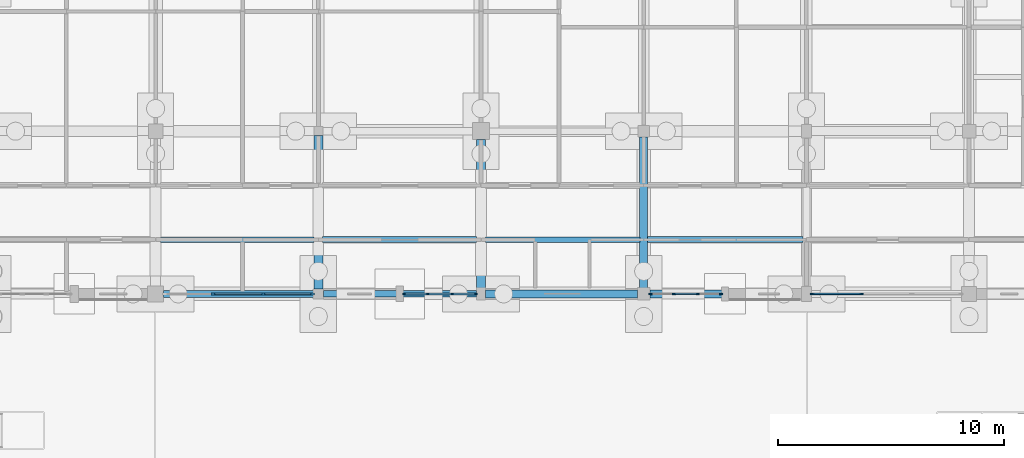
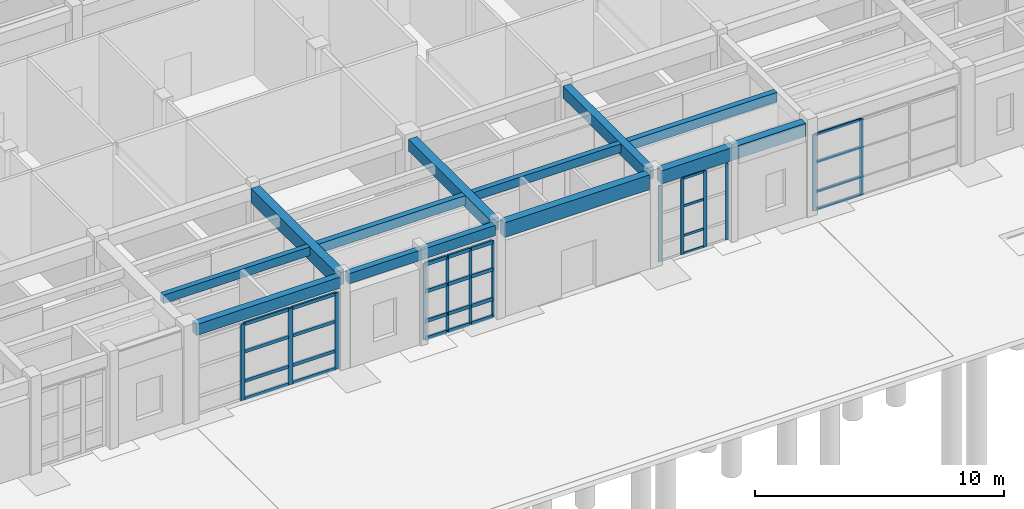
# One storey, part 41 of 143: 41 members, 11 beams, 4 elements without a shape of their own.
"""IFC4 building model written with IfcOpenShell, lengths in metres."""

from ifc_helpers import new_model, si_unit, direction, frame, origin, origin_2d, place, context, subcontext, project, spatial, rectangle, extrude, material, material_profile, profile_set, type_object, element, aggregate, save


model = new_model("IFC4")

# Units and contexts
model_context = context("Model", 3, precision=1e-05, world=origin(), true_north=direction((0.0, 1.0)))
body_context = subcontext(model_context, "Body", "Model", "MODEL_VIEW")
ifc_project = project(units=[si_unit("LENGTHUNIT", "METRE"), si_unit("AREAUNIT", "SQUARE_METRE"), si_unit("VOLUMEUNIT", "CUBIC_METRE"), si_unit("PLANEANGLEUNIT", "RADIAN"), si_unit("MASSUNIT", "GRAM", prefix="KILO")], contexts=[model_context])

# Site, building, storey
site_placement = place(None, origin())
site = spatial("IfcSite", under=ifc_project, at=site_placement, CompositionType="ELEMENT")
building_placement = place(site_placement, origin())
building = spatial("IfcBuilding", under=site, at=building_placement, Name="Steenspoor Specialist Clinic", CompositionType="ELEMENT")
storey_placement = place(building_placement, origin())
storey = spatial("IfcBuildingStorey", under=building, at=storey_placement, Name="L00", CompositionType="ELEMENT", Elevation=0.0)

# Beams
ifc_material_1 = material(Name="Concrete C35/45", Category="concrete")
ifc_material_profile_1 = material_profile(ifc_material_1, rectangle(XDim=0.35009765625, YDim=0.580078125, at=origin_2d()), Name="RC-BM-350X580")
ifc_profile_set_1 = profile_set([ifc_material_profile_1], Name="Concrete C35/45")
beam_type_1 = type_object("IfcBeamType", Name="BM-RC-350X580", PredefinedType="BEAM", material=ifc_profile_set_1)
beam_1_placement = place(storey_placement, frame((88.39990234375, 13.320068359375, 4.260009765625), z_axis=(0.0, 1.0, 0.0), x_axis=(-1.0, 0.0, 0.0)))
element("IfcBeam", 1, at=beam_1_placement, inside=storey, type_object=beam_type_1, Name="BM-V1-L00-Y0056", PredefinedType="BEAM", context=body_context, shape_type="SweptSolid", body=[
    extrude(rectangle(XDim=0.35009765625, YDim=0.580078125, at=origin_2d()), origin(), (0.0, 0.0, 1.0), 6.684814453125),
])
ifc_material_profile_2 = material_profile(ifc_material_1, rectangle(XDim=0.39990234375, YDim=0.580078125, at=origin_2d()), Name="RC-BM-400X580")
ifc_profile_set_2 = profile_set([ifc_material_profile_2], Name="Concrete C35/45")
beam_type_2 = type_object("IfcBeamType", Name="BM-RC-400X580", PredefinedType="BEAM", material=ifc_profile_set_2)
beam_2_placement = place(storey_placement, frame((81.199951171875, 13.320068359375, 4.260009765625), z_axis=(0.0, 1.0, 0.0), x_axis=(-1.0, 0.0, 0.0)))
element("IfcBeam", 2, at=beam_2_placement, inside=storey, type_object=beam_type_2, Name="BM-V1-L00-Y0054", PredefinedType="BEAM", context=body_context, shape_type="SweptSolid", body=[
    extrude(rectangle(XDim=0.39990234375, YDim=0.580078125, at=origin_2d()), origin(), (0.0, 0.0, 1.0), 6.559814453125),
])
ifc_material_profile_3 = material_profile(ifc_material_1, rectangle(XDim=0.39990234375, YDim=0.699951171875, at=origin_2d()), Name="RC-BM-400X700")
ifc_profile_set_3 = profile_set([ifc_material_profile_3], Name="Concrete C35/45")
beam_type_3 = type_object("IfcBeamType", Name="BM-RC-400X700", PredefinedType="BEAM", material=ifc_profile_set_3)
beam_3_placement = place(storey_placement, frame((74.0, 13.27001953125, 4.199951171875), z_axis=(0.0, 1.0, 0.0), x_axis=(-1.0, 0.0, 0.0)))
element("IfcBeam", 3, at=beam_3_placement, inside=storey, type_object=beam_type_3, Name="BM-V1-L00-Y0052", PredefinedType="BEAM", context=body_context, shape_type="SweptSolid", body=[
    extrude(rectangle(XDim=0.39990234375, YDim=0.699951171875, at=origin_2d()), origin(), (0.0, 0.0, 1.0), 6.784912109375),
])

# Curtain wall, members
ifc_material_2 = material(Name="Thermally broken aluminium and low-emissivity glass", Category="aluminium")
curtain_wall_type_1 = type_object("IfcCurtainWallType", Name="CW-L00-660X415", PredefinedType="USERDEFINED", material=ifc_material_2)
curtain_wall_1_placement = place(storey_placement, origin())
curtain_wall_1 = element("IfcCurtainWall", 4, at=curtain_wall_1_placement, inside=storey, type_object=curtain_wall_type_1, Name="Unitised Curtain Wall CW-V1-L00-004", ObjectType="UNITISED GLAZING", PredefinedType="USERDEFINED")
ifc_material_3 = material(Name="Thermally broken aluminium 6063-T6", Category="aluminium")
ifc_material_profile_4 = material_profile(ifc_material_3, rectangle(XDim=0.06005859375, YDim=0.135009765625, at=origin_2d()), Name="CWM-60X135")
ifc_profile_set_4 = profile_set([ifc_material_profile_4], Name="Thermally broken aluminium 6063-T6")
member_type_1 = type_object("IfcMemberType", Name="CW-MULL-60X135", PredefinedType="MULLION", material=ifc_profile_set_4)
member_1_placement = place(storey_placement, frame((80.969970703125, 13.050048828125, 0.0), z_axis=(0.0, 0.0, 1.0), x_axis=(0.0, -1.0, 0.0)))
member_1 = element("IfcMember", 5, at=member_1_placement, type_object=member_type_1, Name="CW-04 mullion 1", PredefinedType="MULLION", context=body_context, shape_type="SweptSolid", body=[
    extrude(rectangle(XDim=0.06005859375, YDim=0.135009765625, at=origin_2d()), origin(), (0.0, 0.0, 1.0), 3.72998046875),
])
member_2_placement = place(storey_placement, frame((79.92333984375, 13.050048828125, 0.0), z_axis=(0.0, 0.0, 1.0), x_axis=(0.0, -1.0, 0.0)))
member_2 = element("IfcMember", 6, at=member_2_placement, type_object=member_type_1, Name="CW-04 mullion 2", PredefinedType="MULLION", context=body_context, shape_type="SweptSolid", body=[
    extrude(rectangle(XDim=0.06005859375, YDim=0.135009765625, at=origin_2d()), origin(), (0.0, 0.0, 1.0), 3.72998046875),
])
member_3_placement = place(storey_placement, frame((78.8466796875, 13.050048828125, 0.0), z_axis=(0.0, 0.0, 1.0), x_axis=(0.0, -1.0, 0.0)))
member_3 = element("IfcMember", 7, at=member_3_placement, type_object=member_type_1, Name="CW-04 mullion 3", PredefinedType="MULLION", context=body_context, shape_type="SweptSolid", body=[
    extrude(rectangle(XDim=0.06005859375, YDim=0.135009765625, at=origin_2d()), origin(), (0.0, 0.0, 1.0), 3.72998046875),
])
member_4_placement = place(storey_placement, frame((77.800048828125, 13.050048828125, 0.0), z_axis=(0.0, 0.0, 1.0), x_axis=(0.0, -1.0, 0.0)))
member_4 = element("IfcMember", 8, at=member_4_placement, type_object=member_type_1, Name="CW-04 mullion 4", PredefinedType="MULLION", context=body_context, shape_type="SweptSolid", body=[
    extrude(rectangle(XDim=0.06005859375, YDim=0.135009765625, at=origin_2d()), origin(), (0.0, 0.0, 1.0), 3.72998046875),
])

curtain_wall_type_2 = type_object("IfcCurtainWallType", Name="CW-HALL-480X820", PredefinedType="USERDEFINED", material=ifc_material_2)
curtain_wall_2_placement = place(storey_placement, origin())
curtain_wall_2 = element("IfcCurtainWall", 9, at=curtain_wall_2_placement, inside=storey, type_object=curtain_wall_type_2, Name="Unitised Curtain Wall CW-V1-L00-003", ObjectType="UNITISED GLAZING", PredefinedType="USERDEFINED")
ifc_material_profile_5 = material_profile(ifc_material_3, rectangle(XDim=0.06494140625, YDim=0.14990234375, at=origin_2d()), Name="CWM-65X150")
ifc_profile_set_5 = profile_set([ifc_material_profile_5], Name="Thermally broken aluminium 6063-T6")
member_type_2 = type_object("IfcMemberType", Name="CW-MULL-65X150", PredefinedType="MULLION", material=ifc_profile_set_5)
member_5_placement = place(storey_placement, frame((91.8173828125, 13.050048828125, 0.0), z_axis=(0.0, 0.0, 1.0), x_axis=(0.0, -1.0, 0.0)))
member_5 = element("IfcMember", 10, at=member_5_placement, type_object=member_type_2, Name="CW-03 mullion 1", PredefinedType="MULLION", context=body_context, shape_type="SweptSolid", body=[
    extrude(rectangle(XDim=0.06494140625, YDim=0.14990234375, at=origin_2d()), origin(), (0.0, 0.0, 1.0), 3.72998046875),
])
member_6_placement = place(storey_placement, frame((90.791748046875, 13.050048828125, 0.0), z_axis=(0.0, 0.0, 1.0), x_axis=(0.0, -1.0, 0.0)))
member_6 = element("IfcMember", 11, at=member_6_placement, type_object=member_type_2, Name="CW-03 mullion 2", PredefinedType="MULLION", context=body_context, shape_type="SweptSolid", body=[
    extrude(rectangle(XDim=0.06494140625, YDim=0.14990234375, at=origin_2d()), origin(), (0.0, 0.0, 1.0), 3.72998046875),
])
member_7_placement = place(storey_placement, frame((89.7333984375, 13.050048828125, 0.0), z_axis=(0.0, 0.0, 1.0), x_axis=(0.0, -1.0, 0.0)))
member_7 = element("IfcMember", 12, at=member_7_placement, type_object=member_type_2, Name="CW-03 mullion 3", PredefinedType="MULLION", context=body_context, shape_type="SweptSolid", body=[
    extrude(rectangle(XDim=0.06494140625, YDim=0.14990234375, at=origin_2d()), origin(), (0.0, 0.0, 1.0), 3.72998046875),
])
member_8_placement = place(storey_placement, frame((88.70751953125, 13.050048828125, 0.0), z_axis=(0.0, 0.0, 1.0), x_axis=(0.0, -1.0, 0.0)))
member_8 = element("IfcMember", 13, at=member_8_placement, type_object=member_type_2, Name="CW-03 mullion 4", PredefinedType="MULLION", context=body_context, shape_type="SweptSolid", body=[
    extrude(rectangle(XDim=0.06494140625, YDim=0.14990234375, at=origin_2d()), origin(), (0.0, 0.0, 1.0), 3.72998046875),
])

curtain_wall_type_3 = type_object("IfcCurtainWallType", Name="CW-HALL-650X820", PredefinedType="USERDEFINED", material=ifc_material_2)
curtain_wall_3_placement = place(storey_placement, origin())
curtain_wall_3 = element("IfcCurtainWall", 14, at=curtain_wall_3_placement, inside=storey, type_object=curtain_wall_type_3, Name="Unitised Curtain Wall CW-V1-L00-002", ObjectType="UNITISED GLAZING", PredefinedType="USERDEFINED")
ifc_material_profile_6 = material_profile(ifc_material_3, rectangle(XDim=0.070068359375, YDim=0.1650390625, at=origin_2d()), Name="CWM-70X165")
ifc_profile_set_6 = profile_set([ifc_material_profile_6], Name="Thermally broken aluminium 6063-T6")
member_type_3 = type_object("IfcMemberType", Name="CW-MULL-70X165", PredefinedType="MULLION", material=ifc_profile_set_6)
member_9_placement = place(storey_placement, frame((98.041748046875, 13.050048828125, 0.0), z_axis=(0.0, 0.0, 1.0), x_axis=(0.0, -1.0, 0.0)))
member_9 = element("IfcMember", 15, at=member_9_placement, type_object=member_type_3, Name="CW-02 mullion 3", PredefinedType="MULLION", context=body_context, shape_type="SweptSolid", body=[
    extrude(rectangle(XDim=0.070068359375, YDim=0.1650390625, at=origin_2d()), origin(), (0.0, 0.0, 1.0), 3.72998046875),
])
member_10_placement = place(storey_placement, frame((95.860107421875, 13.050048828125, 0.0), z_axis=(0.0, 0.0, 1.0), x_axis=(0.0, -1.0, 0.0)))
member_10 = element("IfcMember", 16, at=member_10_placement, type_object=member_type_3, Name="CW-02 mullion 4", PredefinedType="MULLION", context=body_context, shape_type="SweptSolid", body=[
    extrude(rectangle(XDim=0.070068359375, YDim=0.1650390625, at=origin_2d()), origin(), (0.0, 0.0, 1.0), 3.72998046875),
])

curtain_wall_type_4 = type_object("IfcCurtainWallType", Name="CW-L00-650X415", PredefinedType="USERDEFINED", material=ifc_material_2)
curtain_wall_4_placement = place(storey_placement, origin())
curtain_wall_4 = element("IfcCurtainWall", 17, at=curtain_wall_4_placement, inside=storey, type_object=curtain_wall_type_4, Name="Unitised Curtain Wall CW-V1-L00-005", ObjectType="UNITISED GLAZING", PredefinedType="USERDEFINED")
ifc_material_profile_7 = material_profile(ifc_material_3, rectangle(XDim=0.090087890625, YDim=0.199951171875, at=origin_2d()), Name="CWM-90X200")
ifc_profile_set_7 = profile_set([ifc_material_profile_7], Name="Thermally broken aluminium 6063-T6")
member_type_4 = type_object("IfcMemberType", Name="CW-MULL-90X200", PredefinedType="MULLION", material=ifc_profile_set_7)
member_11_placement = place(storey_placement, frame((73.72998046875, 13.050048828125, 0.0), z_axis=(0.0, 0.0, 1.0), x_axis=(0.0, -1.0, 0.0)))
member_11 = element("IfcMember", 18, at=member_11_placement, type_object=member_type_4, Name="CW-05 mullion 1", PredefinedType="MULLION", context=body_context, shape_type="SweptSolid", body=[
    extrude(rectangle(XDim=0.090087890625, YDim=0.199951171875, at=origin_2d()), origin(), (0.0, 0.0, 1.0), 3.72998046875),
])
member_12_placement = place(storey_placement, frame((71.566650390625, 13.050048828125, 0.0), z_axis=(0.0, 0.0, 1.0), x_axis=(0.0, -1.0, 0.0)))
member_12 = element("IfcMember", 19, at=member_12_placement, type_object=member_type_4, Name="CW-05 mullion 2", PredefinedType="MULLION", context=body_context, shape_type="SweptSolid", body=[
    extrude(rectangle(XDim=0.090087890625, YDim=0.199951171875, at=origin_2d()), origin(), (0.0, 0.0, 1.0), 3.72998046875),
])
member_13_placement = place(storey_placement, frame((69.3583984375, 13.050048828125, 0.0), z_axis=(0.0, 0.0, 1.0), x_axis=(0.0, -1.0, 0.0)))
member_13 = element("IfcMember", 20, at=member_13_placement, type_object=member_type_4, Name="CW-05 mullion 3", PredefinedType="MULLION", context=body_context, shape_type="SweptSolid", body=[
    extrude(rectangle(XDim=0.090087890625, YDim=0.199951171875, at=origin_2d()), origin(), (0.0, 0.0, 1.0), 3.72998046875),
])

# Member
ifc_material_profile_8 = material_profile(ifc_material_3, rectangle(XDim=0.06005859375, YDim=0.114990234375, at=origin_2d()), Name="CWT-60X115")
ifc_profile_set_8 = profile_set([ifc_material_profile_8], Name="Thermally broken aluminium 6063-T6")
member_type_5 = type_object("IfcMemberType", Name="CW-TRAN-60X115", PredefinedType="USERDEFINED", material=ifc_profile_set_8)
member_14_placement = place(storey_placement, frame((90.75927734375, 13.050048828125, 0.030029296875), z_axis=(-1.0, 0.0, 0.0), x_axis=(0.0, -1.0, 0.0)))
member_14 = element("IfcMember", 21, at=member_14_placement, type_object=member_type_5, Name="CW-03 transom 2.1", ObjectType="TRANSOM", PredefinedType="USERDEFINED", context=body_context, shape_type="SweptSolid", body=[
    extrude(rectangle(XDim=0.06005859375, YDim=0.114990234375, at=origin_2d()), origin(), (0.0, 0.0, 1.0), 0.993408203125),
])

member_15_placement = place(storey_placement, frame((90.75927734375, 13.050048828125, 0.89990234375), z_axis=(-1.0, 0.0, 0.0), x_axis=(0.0, -1.0, 0.0)))
member_15 = element("IfcMember", 22, at=member_15_placement, type_object=member_type_5, Name="CW-03 transom 2.2", ObjectType="TRANSOM", PredefinedType="USERDEFINED", context=body_context, shape_type="SweptSolid", body=[
    extrude(rectangle(XDim=0.06005859375, YDim=0.114990234375, at=origin_2d()), origin(), (0.0, 0.0, 1.0), 0.993408203125),
])

member_16_placement = place(storey_placement, frame((90.75927734375, 13.050048828125, 2.35009765625), z_axis=(-1.0, 0.0, 0.0), x_axis=(0.0, -1.0, 0.0)))
member_16 = element("IfcMember", 23, at=member_16_placement, type_object=member_type_5, Name="CW-03 transom 2.3", ObjectType="TRANSOM", PredefinedType="USERDEFINED", context=body_context, shape_type="SweptSolid", body=[
    extrude(rectangle(XDim=0.06005859375, YDim=0.114990234375, at=origin_2d()), origin(), (0.0, 0.0, 1.0), 0.993408203125),
])

member_17_placement = place(storey_placement, frame((90.75927734375, 13.050048828125, 3.699951171875), z_axis=(-1.0, 0.0, 0.0), x_axis=(0.0, -1.0, 0.0)))
member_17 = element("IfcMember", 24, at=member_17_placement, type_object=member_type_5, Name="CW-03 transom 2.4", ObjectType="TRANSOM", PredefinedType="USERDEFINED", context=body_context, shape_type="SweptSolid", body=[
    extrude(rectangle(XDim=0.06005859375, YDim=0.114990234375, at=origin_2d()), origin(), (0.0, 0.0, 1.0), 0.993408203125),
])

aggregate(curtain_wall_2, [member_5, member_6, member_7, member_8, member_14, member_15, member_16, member_17])

ifc_material_profile_9 = material_profile(ifc_material_3, rectangle(XDim=0.06494140625, YDim=0.1298828125, at=origin_2d()), Name="CWT-65X130")
ifc_profile_set_9 = profile_set([ifc_material_profile_9], Name="Thermally broken aluminium 6063-T6")
member_type_6 = type_object("IfcMemberType", Name="CW-TRAN-65X130", PredefinedType="USERDEFINED", material=ifc_profile_set_9)
member_18_placement = place(storey_placement, frame((98.006591796875, 13.050048828125, 0.032470703125), z_axis=(-1.0, 0.0, 0.0), x_axis=(0.0, -1.0, 0.0)))
member_18 = element("IfcMember", 25, at=member_18_placement, type_object=member_type_6, Name="CW-02 transom 3.1", ObjectType="TRANSOM", PredefinedType="USERDEFINED", context=body_context, shape_type="SweptSolid", body=[
    extrude(rectangle(XDim=0.06494140625, YDim=0.1298828125, at=origin_2d()), origin(), (0.0, 0.0, 1.0), 2.111572265625),
])

member_19_placement = place(storey_placement, frame((98.006591796875, 13.050048828125, 0.89990234375), z_axis=(-1.0, 0.0, 0.0), x_axis=(0.0, -1.0, 0.0)))
member_19 = element("IfcMember", 26, at=member_19_placement, type_object=member_type_6, Name="CW-02 transom 3.2", ObjectType="TRANSOM", PredefinedType="USERDEFINED", context=body_context, shape_type="SweptSolid", body=[
    extrude(rectangle(XDim=0.06494140625, YDim=0.1298828125, at=origin_2d()), origin(), (0.0, 0.0, 1.0), 2.111572265625),
])

member_20_placement = place(storey_placement, frame((98.006591796875, 13.050048828125, 2.35009765625), z_axis=(-1.0, 0.0, 0.0), x_axis=(0.0, -1.0, 0.0)))
member_20 = element("IfcMember", 27, at=member_20_placement, type_object=member_type_6, Name="CW-02 transom 3.3", ObjectType="TRANSOM", PredefinedType="USERDEFINED", context=body_context, shape_type="SweptSolid", body=[
    extrude(rectangle(XDim=0.06494140625, YDim=0.1298828125, at=origin_2d()), origin(), (0.0, 0.0, 1.0), 2.111572265625),
])

member_21_placement = place(storey_placement, frame((98.006591796875, 13.050048828125, 3.697509765625), z_axis=(-1.0, 0.0, 0.0), x_axis=(0.0, -1.0, 0.0)))
member_21 = element("IfcMember", 28, at=member_21_placement, type_object=member_type_6, Name="CW-02 transom 3.4", ObjectType="TRANSOM", PredefinedType="USERDEFINED", context=body_context, shape_type="SweptSolid", body=[
    extrude(rectangle(XDim=0.06494140625, YDim=0.1298828125, at=origin_2d()), origin(), (0.0, 0.0, 1.0), 2.111572265625),
])

aggregate(curtain_wall_3, [member_9, member_10, member_18, member_19, member_20, member_21])

ifc_material_profile_10 = material_profile(ifc_material_3, rectangle(XDim=0.080078125, YDim=0.159912109375, at=origin_2d()), Name="CWT-80X160")
ifc_profile_set_10 = profile_set([ifc_material_profile_10], Name="Thermally broken aluminium 6063-T6")
member_type_7 = type_object("IfcMemberType", Name="CW-TRAN-80X160", PredefinedType="USERDEFINED", material=ifc_profile_set_10)
member_22_placement = place(storey_placement, frame((73.68505859375, 13.050048828125, 0.0400390625), z_axis=(-1.0, 0.0, 0.0), x_axis=(0.0, -1.0, 0.0)))
member_22 = element("IfcMember", 29, at=member_22_placement, type_object=member_type_7, Name="CW-05 transom 1.1", ObjectType="TRANSOM", PredefinedType="USERDEFINED", context=body_context, shape_type="SweptSolid", body=[
    extrude(rectangle(XDim=0.080078125, YDim=0.159912109375, at=origin_2d()), origin(), (0.0, 0.0, 1.0), 2.073486328125),
])

member_23_placement = place(storey_placement, frame((73.68505859375, 13.050048828125, 0.89990234375), z_axis=(-1.0, 0.0, 0.0), x_axis=(0.0, -1.0, 0.0)))
member_23 = element("IfcMember", 30, at=member_23_placement, type_object=member_type_7, Name="CW-05 transom 1.2", ObjectType="TRANSOM", PredefinedType="USERDEFINED", context=body_context, shape_type="SweptSolid", body=[
    extrude(rectangle(XDim=0.080078125, YDim=0.159912109375, at=origin_2d()), origin(), (0.0, 0.0, 1.0), 2.073486328125),
])

member_24_placement = place(storey_placement, frame((73.68505859375, 13.050048828125, 2.35009765625), z_axis=(-1.0, 0.0, 0.0), x_axis=(0.0, -1.0, 0.0)))
member_24 = element("IfcMember", 31, at=member_24_placement, type_object=member_type_7, Name="CW-05 transom 1.3", ObjectType="TRANSOM", PredefinedType="USERDEFINED", context=body_context, shape_type="SweptSolid", body=[
    extrude(rectangle(XDim=0.080078125, YDim=0.159912109375, at=origin_2d()), origin(), (0.0, 0.0, 1.0), 2.073486328125),
])

member_25_placement = place(storey_placement, frame((73.68505859375, 13.050048828125, 3.68994140625), z_axis=(-1.0, 0.0, 0.0), x_axis=(0.0, -1.0, 0.0)))
member_25 = element("IfcMember", 32, at=member_25_placement, type_object=member_type_7, Name="CW-05 transom 1.4", ObjectType="TRANSOM", PredefinedType="USERDEFINED", context=body_context, shape_type="SweptSolid", body=[
    extrude(rectangle(XDim=0.080078125, YDim=0.159912109375, at=origin_2d()), origin(), (0.0, 0.0, 1.0), 2.073486328125),
])

member_26_placement = place(storey_placement, frame((71.521728515625, 13.050048828125, 0.0400390625), z_axis=(-1.0, 0.0, 0.0), x_axis=(0.0, -1.0, 0.0)))
member_26 = element("IfcMember", 33, at=member_26_placement, type_object=member_type_7, Name="CW-05 transom 2.1", ObjectType="TRANSOM", PredefinedType="USERDEFINED", context=body_context, shape_type="SweptSolid", body=[
    extrude(rectangle(XDim=0.080078125, YDim=0.159912109375, at=origin_2d()), origin(), (0.0, 0.0, 1.0), 2.118408203125),
])

member_27_placement = place(storey_placement, frame((71.521728515625, 13.050048828125, 0.89990234375), z_axis=(-1.0, 0.0, 0.0), x_axis=(0.0, -1.0, 0.0)))
member_27 = element("IfcMember", 34, at=member_27_placement, type_object=member_type_7, Name="CW-05 transom 2.2", ObjectType="TRANSOM", PredefinedType="USERDEFINED", context=body_context, shape_type="SweptSolid", body=[
    extrude(rectangle(XDim=0.080078125, YDim=0.159912109375, at=origin_2d()), origin(), (0.0, 0.0, 1.0), 2.118408203125),
])

member_28_placement = place(storey_placement, frame((71.521728515625, 13.050048828125, 2.35009765625), z_axis=(-1.0, 0.0, 0.0), x_axis=(0.0, -1.0, 0.0)))
member_28 = element("IfcMember", 35, at=member_28_placement, type_object=member_type_7, Name="CW-05 transom 2.3", ObjectType="TRANSOM", PredefinedType="USERDEFINED", context=body_context, shape_type="SweptSolid", body=[
    extrude(rectangle(XDim=0.080078125, YDim=0.159912109375, at=origin_2d()), origin(), (0.0, 0.0, 1.0), 2.118408203125),
])

member_29_placement = place(storey_placement, frame((71.521728515625, 13.050048828125, 3.68994140625), z_axis=(-1.0, 0.0, 0.0), x_axis=(0.0, -1.0, 0.0)))
member_29 = element("IfcMember", 36, at=member_29_placement, type_object=member_type_7, Name="CW-05 transom 2.4", ObjectType="TRANSOM", PredefinedType="USERDEFINED", context=body_context, shape_type="SweptSolid", body=[
    extrude(rectangle(XDim=0.080078125, YDim=0.159912109375, at=origin_2d()), origin(), (0.0, 0.0, 1.0), 2.118408203125),
])

aggregate(curtain_wall_4, [member_11, member_12, member_13, member_22, member_23, member_24, member_25, member_26, member_27, member_28, member_29])

ifc_material_profile_11 = material_profile(ifc_material_3, rectangle(XDim=0.090087890625, YDim=0.175048828125, at=origin_2d()), Name="CWT-90X175")
ifc_profile_set_11 = profile_set([ifc_material_profile_11], Name="Thermally broken aluminium 6063-T6")
member_type_8 = type_object("IfcMemberType", Name="CW-TRAN-90X175", PredefinedType="USERDEFINED", material=ifc_profile_set_11)
member_30_placement = place(storey_placement, frame((80.93994140625, 13.050048828125, 0.044921875), z_axis=(-1.0, 0.0, 0.0), x_axis=(0.0, -1.0, 0.0)))
member_30 = element("IfcMember", 37, at=member_30_placement, type_object=member_type_8, Name="CW-04 transom 1.1", ObjectType="TRANSOM", PredefinedType="USERDEFINED", context=body_context, shape_type="SweptSolid", body=[
    extrude(rectangle(XDim=0.090087890625, YDim=0.175048828125, at=origin_2d()), origin(), (0.0, 0.0, 1.0), 0.986572265625),
])

member_31_placement = place(storey_placement, frame((80.93994140625, 13.050048828125, 0.89990234375), z_axis=(-1.0, 0.0, 0.0), x_axis=(0.0, -1.0, 0.0)))
member_31 = element("IfcMember", 38, at=member_31_placement, type_object=member_type_8, Name="CW-04 transom 1.2", ObjectType="TRANSOM", PredefinedType="USERDEFINED", context=body_context, shape_type="SweptSolid", body=[
    extrude(rectangle(XDim=0.090087890625, YDim=0.175048828125, at=origin_2d()), origin(), (0.0, 0.0, 1.0), 0.986572265625),
])

member_32_placement = place(storey_placement, frame((80.93994140625, 13.050048828125, 2.35009765625), z_axis=(-1.0, 0.0, 0.0), x_axis=(0.0, -1.0, 0.0)))
member_32 = element("IfcMember", 39, at=member_32_placement, type_object=member_type_8, Name="CW-04 transom 1.3", ObjectType="TRANSOM", PredefinedType="USERDEFINED", context=body_context, shape_type="SweptSolid", body=[
    extrude(rectangle(XDim=0.090087890625, YDim=0.175048828125, at=origin_2d()), origin(), (0.0, 0.0, 1.0), 0.986572265625),
])

member_33_placement = place(storey_placement, frame((80.93994140625, 13.050048828125, 3.68505859375), z_axis=(-1.0, 0.0, 0.0), x_axis=(0.0, -1.0, 0.0)))
member_33 = element("IfcMember", 40, at=member_33_placement, type_object=member_type_8, Name="CW-04 transom 1.4", ObjectType="TRANSOM", PredefinedType="USERDEFINED", context=body_context, shape_type="SweptSolid", body=[
    extrude(rectangle(XDim=0.090087890625, YDim=0.175048828125, at=origin_2d()), origin(), (0.0, 0.0, 1.0), 0.986572265625),
])

member_34_placement = place(storey_placement, frame((79.893310546875, 13.050048828125, 0.044921875), z_axis=(-1.0, 0.0, 0.0), x_axis=(0.0, -1.0, 0.0)))
member_34 = element("IfcMember", 41, at=member_34_placement, type_object=member_type_8, Name="CW-04 transom 2.1", ObjectType="TRANSOM", PredefinedType="USERDEFINED", context=body_context, shape_type="SweptSolid", body=[
    extrude(rectangle(XDim=0.090087890625, YDim=0.175048828125, at=origin_2d()), origin(), (0.0, 0.0, 1.0), 1.0166015625),
])

member_35_placement = place(storey_placement, frame((79.893310546875, 13.050048828125, 0.89990234375), z_axis=(-1.0, 0.0, 0.0), x_axis=(0.0, -1.0, 0.0)))
member_35 = element("IfcMember", 42, at=member_35_placement, type_object=member_type_8, Name="CW-04 transom 2.2", ObjectType="TRANSOM", PredefinedType="USERDEFINED", context=body_context, shape_type="SweptSolid", body=[
    extrude(rectangle(XDim=0.090087890625, YDim=0.175048828125, at=origin_2d()), origin(), (0.0, 0.0, 1.0), 1.0166015625),
])

member_36_placement = place(storey_placement, frame((79.893310546875, 13.050048828125, 2.35009765625), z_axis=(-1.0, 0.0, 0.0), x_axis=(0.0, -1.0, 0.0)))
member_36 = element("IfcMember", 43, at=member_36_placement, type_object=member_type_8, Name="CW-04 transom 2.3", ObjectType="TRANSOM", PredefinedType="USERDEFINED", context=body_context, shape_type="SweptSolid", body=[
    extrude(rectangle(XDim=0.090087890625, YDim=0.175048828125, at=origin_2d()), origin(), (0.0, 0.0, 1.0), 1.0166015625),
])

member_37_placement = place(storey_placement, frame((79.893310546875, 13.050048828125, 3.68505859375), z_axis=(-1.0, 0.0, 0.0), x_axis=(0.0, -1.0, 0.0)))
member_37 = element("IfcMember", 44, at=member_37_placement, type_object=member_type_8, Name="CW-04 transom 2.4", ObjectType="TRANSOM", PredefinedType="USERDEFINED", context=body_context, shape_type="SweptSolid", body=[
    extrude(rectangle(XDim=0.090087890625, YDim=0.175048828125, at=origin_2d()), origin(), (0.0, 0.0, 1.0), 1.0166015625),
])

member_38_placement = place(storey_placement, frame((78.816650390625, 13.050048828125, 0.044921875), z_axis=(-1.0, 0.0, 0.0), x_axis=(0.0, -1.0, 0.0)))
member_38 = element("IfcMember", 45, at=member_38_placement, type_object=member_type_8, Name="CW-04 transom 3.1", ObjectType="TRANSOM", PredefinedType="USERDEFINED", context=body_context, shape_type="SweptSolid", body=[
    extrude(rectangle(XDim=0.090087890625, YDim=0.175048828125, at=origin_2d()), origin(), (0.0, 0.0, 1.0), 0.986572265625),
])

member_39_placement = place(storey_placement, frame((78.816650390625, 13.050048828125, 0.89990234375), z_axis=(-1.0, 0.0, 0.0), x_axis=(0.0, -1.0, 0.0)))
member_39 = element("IfcMember", 46, at=member_39_placement, type_object=member_type_8, Name="CW-04 transom 3.2", ObjectType="TRANSOM", PredefinedType="USERDEFINED", context=body_context, shape_type="SweptSolid", body=[
    extrude(rectangle(XDim=0.090087890625, YDim=0.175048828125, at=origin_2d()), origin(), (0.0, 0.0, 1.0), 0.986572265625),
])

member_40_placement = place(storey_placement, frame((78.816650390625, 13.050048828125, 2.35009765625), z_axis=(-1.0, 0.0, 0.0), x_axis=(0.0, -1.0, 0.0)))
member_40 = element("IfcMember", 47, at=member_40_placement, type_object=member_type_8, Name="CW-04 transom 3.3", ObjectType="TRANSOM", PredefinedType="USERDEFINED", context=body_context, shape_type="SweptSolid", body=[
    extrude(rectangle(XDim=0.090087890625, YDim=0.175048828125, at=origin_2d()), origin(), (0.0, 0.0, 1.0), 0.986572265625),
])

member_41_placement = place(storey_placement, frame((78.816650390625, 13.050048828125, 3.68505859375), z_axis=(-1.0, 0.0, 0.0), x_axis=(0.0, -1.0, 0.0)))
member_41 = element("IfcMember", 48, at=member_41_placement, type_object=member_type_8, Name="CW-04 transom 3.4", ObjectType="TRANSOM", PredefinedType="USERDEFINED", context=body_context, shape_type="SweptSolid", body=[
    extrude(rectangle(XDim=0.090087890625, YDim=0.175048828125, at=origin_2d()), origin(), (0.0, 0.0, 1.0), 0.986572265625),
])

aggregate(curtain_wall_1, [member_1, member_2, member_3, member_4, member_30, member_31, member_32, member_33, member_34, member_35, member_36, member_37, member_38, member_39, member_40, member_41])

# Beams
ifc_material_profile_12 = material_profile(ifc_material_1, rectangle(XDim=0.239990234375, YDim=0.419921875, at=origin_2d()), Name="RC-JT-240X420")
ifc_profile_set_12 = profile_set([ifc_material_profile_12], Name="Concrete C35/45")
beam_type_4 = type_object("IfcBeamType", Name="JT-RC-240X420", PredefinedType="JOIST", material=ifc_profile_set_12)
beam_4_placement = place(storey_placement, frame((67.02001953125, 15.449951171875, 4.340087890625), z_axis=(1.0, 0.0, 0.0), x_axis=(0.0, 1.0, 0.0)))
element("IfcBeam", 49, at=beam_4_placement, inside=storey, type_object=beam_type_4, Name="JT-V1-L00-0083", PredefinedType="JOIST", context=body_context, shape_type="SweptSolid", body=[
    extrude(rectangle(XDim=0.239990234375, YDim=0.419921875, at=origin_2d()), origin(), (0.0, 0.0, 1.0), 6.784912109375),
])
beam_5_placement = place(storey_placement, frame((81.39501953125, 15.449951171875, 4.340087890625), z_axis=(1.0, 0.0, 0.0), x_axis=(0.0, 1.0, 0.0)))
element("IfcBeam", 50, at=beam_5_placement, inside=storey, type_object=beam_type_4, Name="JT-V1-L00-0091", PredefinedType="JOIST", context=body_context, shape_type="SweptSolid", body=[
    extrude(rectangle(XDim=0.239990234375, YDim=0.419921875, at=origin_2d()), origin(), (0.0, 0.0, 1.0), 6.8349609375),
])
ifc_material_profile_13 = material_profile(ifc_material_1, rectangle(XDim=0.260009765625, YDim=0.4599609375, at=origin_2d()), Name="RC-JT-260X460")
ifc_profile_set_13 = profile_set([ifc_material_profile_13], Name="Concrete C35/45")
beam_type_5 = type_object("IfcBeamType", Name="JT-RC-260X460", PredefinedType="JOIST", material=ifc_profile_set_13)
beam_6_placement = place(storey_placement, frame((74.195068359375, 15.449951171875, 4.320068359375), z_axis=(1.0, 0.0, 0.0), x_axis=(0.0, 1.0, 0.0)))
element("IfcBeam", 51, at=beam_6_placement, inside=storey, type_object=beam_type_5, Name="JT-V1-L00-0087", PredefinedType="JOIST", context=body_context, shape_type="SweptSolid", body=[
    extrude(rectangle(XDim=0.260009765625, YDim=0.4599609375, at=origin_2d()), origin(), (0.0, 0.0, 1.0), 6.809814453125),
])
beam_7_placement = place(storey_placement, frame((88.570068359375, 15.449951171875, 4.320068359375), z_axis=(1.0, 0.0, 0.0), x_axis=(0.0, 1.0, 0.0)))
element("IfcBeam", 52, at=beam_7_placement, inside=storey, type_object=beam_type_5, Name="JT-V1-L00-0095", PredefinedType="JOIST", context=body_context, shape_type="SweptSolid", body=[
    extrude(rectangle(XDim=0.260009765625, YDim=0.4599609375, at=origin_2d()), origin(), (0.0, 0.0, 1.0), 6.885009765625),
])
ifc_material_profile_14 = material_profile(ifc_material_1, rectangle(XDim=0.280029296875, YDim=0.5, at=origin_2d()), Name="RC-SP-280X500")
ifc_profile_set_14 = profile_set([ifc_material_profile_14], Name="Concrete C35/45")
beam_type_6 = type_object("IfcBeamType", Name="SP-RC-280X500", PredefinedType="SPANDREL", material=ifc_profile_set_14)
beam_8_placement = place(storey_placement, frame((74.219970703125, 13.050048828125, 4.300048828125), z_axis=(1.0, 0.0, 0.0), x_axis=(0.0, 1.0, 0.0)))
element("IfcBeam", 53, at=beam_8_placement, inside=storey, type_object=beam_type_6, Name="BM-V1-L00-X0004", PredefinedType="SPANDREL", context=body_context, shape_type="SweptSolid", body=[
    extrude(rectangle(XDim=0.280029296875, YDim=0.5, at=origin_2d()), origin(), (0.0, 0.0, 1.0), 6.784912109375),
])
ifc_material_profile_15 = material_profile(ifc_material_1, rectangle(XDim=0.320068359375, YDim=0.5400390625, at=origin_2d()), Name="RC-SP-320X540")
ifc_profile_set_15 = profile_set([ifc_material_profile_15], Name="Concrete C35/45")
beam_type_7 = type_object("IfcBeamType", Name="SP-RC-320X540", PredefinedType="SPANDREL", material=ifc_profile_set_15)
beam_9_placement = place(storey_placement, frame((67.14501953125, 13.050048828125, 4.280029296875), z_axis=(1.0, 0.0, 0.0), x_axis=(0.0, 1.0, 0.0)))
element("IfcBeam", 54, at=beam_9_placement, inside=storey, type_object=beam_type_7, Name="BM-V1-L00-X0003", PredefinedType="SPANDREL", context=body_context, shape_type="SweptSolid", body=[
    extrude(rectangle(XDim=0.320068359375, YDim=0.5400390625, at=origin_2d()), origin(), (0.0, 0.0, 1.0), 6.635009765625),
])
ifc_material_profile_16 = material_profile(ifc_material_1, rectangle(XDim=0.360107421875, YDim=0.639892578125, at=origin_2d()), Name="RC-SP-360X640")
ifc_profile_set_16 = profile_set([ifc_material_profile_16], Name="Concrete C35/45")
beam_type_8 = type_object("IfcBeamType", Name="SP-RC-360X640", PredefinedType="SPANDREL", material=ifc_profile_set_16)
beam_10_placement = place(storey_placement, frame((88.669921875, 13.050048828125, 4.22998046875), z_axis=(1.0, 0.0, 0.0), x_axis=(0.0, 1.0, 0.0)))
element("IfcBeam", 55, at=beam_10_placement, inside=storey, type_object=beam_type_8, Name="BM-V1-L00-X0006", PredefinedType="SPANDREL", context=body_context, shape_type="SweptSolid", body=[
    extrude(rectangle(XDim=0.360107421875, YDim=0.639892578125, at=origin_2d()), origin(), (0.0, 0.0, 1.0), 6.7099609375),
])
ifc_material_profile_17 = material_profile(ifc_material_1, rectangle(XDim=0.360107421875, YDim=0.719970703125, at=origin_2d()), Name="RC-SP-360X720")
ifc_profile_set_17 = profile_set([ifc_material_profile_17], Name="Concrete C35/45")
beam_type_9 = type_object("IfcBeamType", Name="SP-RC-360X720", PredefinedType="SPANDREL", material=ifc_profile_set_17)
beam_11_placement = place(storey_placement, frame((81.39501953125, 13.050048828125, 4.18994140625), z_axis=(1.0, 0.0, 0.0), x_axis=(0.0, 1.0, 0.0)))
element("IfcBeam", 56, at=beam_11_placement, inside=storey, type_object=beam_type_9, Name="BM-V1-L00-X0005", PredefinedType="SPANDREL", context=body_context, shape_type="SweptSolid", body=[
    extrude(rectangle(XDim=0.360107421875, YDim=0.719970703125, at=origin_2d()), origin(), (0.0, 0.0, 1.0), 6.73486328125),
])

save(model, "model.ifc")
